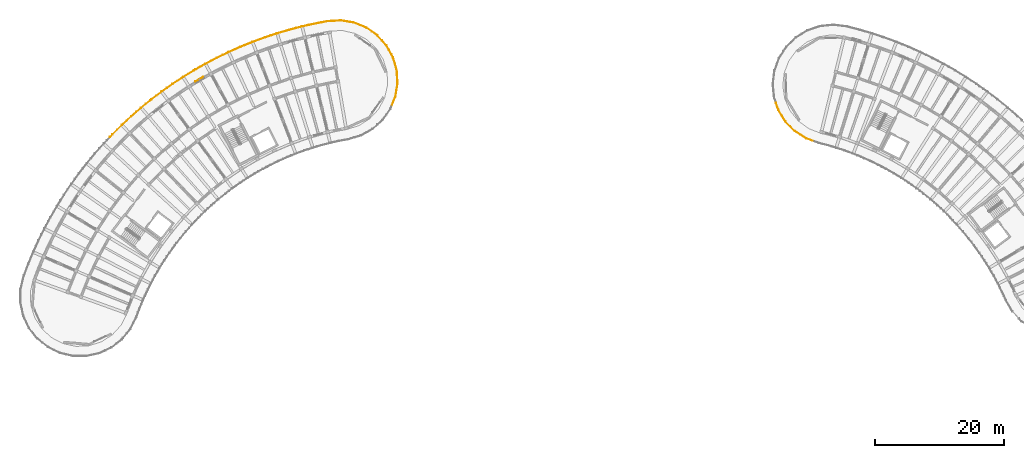
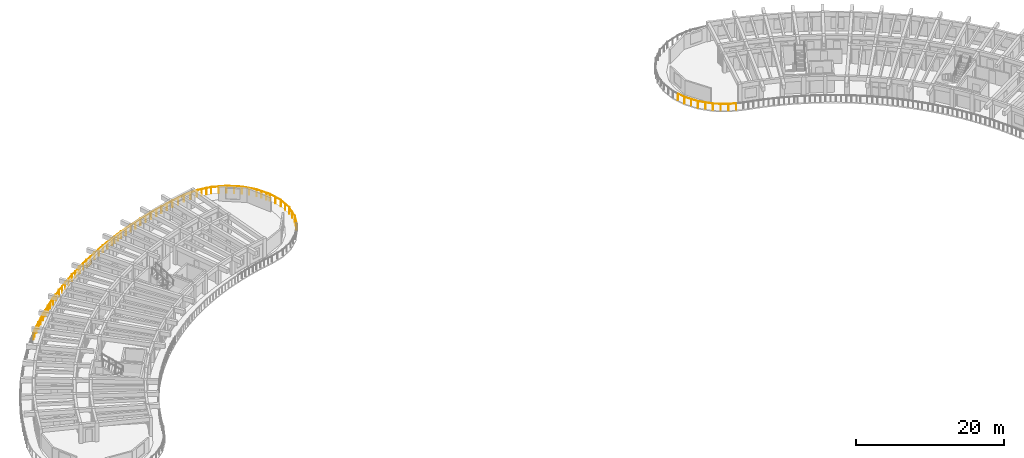
# One storey, part 36 of 41: 8 railings, 1 shading device.
"""IFC4 building model written with IfcOpenShell, lengths in metres."""

from ifc_helpers import new_model, si_unit, direction, frame, origin, origin_2d, place, context, subcontext, project, spatial, rectangle, circle, extrude, material, layer, layer_set, type_object, element, save


model = new_model("IFC4")

# Units and contexts
model_context = context("Model", 3, precision=1e-05, world=origin(), true_north=direction((0.0, 1.0)))
body_context = subcontext(model_context, "Body", "Model", "MODEL_VIEW")
ifc_project = project(units=[si_unit("LENGTHUNIT", "METRE"), si_unit("AREAUNIT", "SQUARE_METRE"), si_unit("VOLUMEUNIT", "CUBIC_METRE"), si_unit("PLANEANGLEUNIT", "RADIAN"), si_unit("MASSUNIT", "GRAM", prefix="KILO")], contexts=[model_context])

# Site, building, storey
site_placement = place(None, origin())
site = spatial("IfcSite", under=ifc_project, at=site_placement, CompositionType="ELEMENT")
building_placement = place(site_placement, origin())
building = spatial("IfcBuilding", under=site, at=building_placement, Name="Tanwirah Colonnade Gardens", CompositionType="ELEMENT")
storey_placement = place(building_placement, frame((0.0, 0.0, 35.719970703125)))
storey = spatial("IfcBuildingStorey", under=building, at=storey_placement, Name="L10", CompositionType="ELEMENT", Elevation=35.719970703125)

# Railings
ifc_material_1 = material(Name="Precast concrete C40/50", Category="concrete")
railing_type = type_object("IfcRailingType", Name="BAL-EXT112", PredefinedType="BALUSTRADE", material=ifc_material_1)
railing_1_placement = place(storey_placement, frame((20.72216796875, 102.61181640625, 0.0)))
element("IfcRailing", 1, at=railing_1_placement, inside=storey, type_object=railing_type, Name="Block A L10 Balcony Ribbon Balustrade 13", PredefinedType="BALUSTRADE", context=body_context, shape_type="SweptSolid", body=[
    extrude(circle(Radius=0.02392578125, at=origin_2d()), frame((0.021484375, 0.022705078125, 1.09619140625), z_axis=(0.687096441583, 0.726566225449, 0.0), x_axis=(-0.726566225449, 0.687096441583, 0.0)), (0.0, 0.0, 1.0), 0.543701171875),
    extrude(circle(Radius=0.02392578125, at=origin_2d()), frame((0.438720703125, 0.46240234375, 1.09619140625), z_axis=(0.710480209462, 0.703717181801, 0.0), x_axis=(-0.703717181801, 0.710480209462, 0.0)), (0.0, 0.0, 1.0), 1.958984375),
    extrude(circle(Radius=0.02392578125, at=origin_2d()), frame((1.875732421875, 1.88427734375, 1.09619140625), z_axis=(0.733352454033, 0.679848643569, 0.0), x_axis=(-0.679848643569, 0.733352454033, 0.0)), (0.0, 0.0, 1.0), 1.958984375),
    extrude(circle(Radius=0.02392578125, at=origin_2d()), frame((3.35888671875, 3.2578125, 1.09619140625), z_axis=(0.755338292497, 0.655335077565, 0.0), x_axis=(-0.655335077565, 0.755338292497, 0.0)), (0.0, 0.0, 1.0), 1.958984375),
    extrude(circle(Radius=0.02392578125, at=origin_2d()), frame((4.88623046875, 4.581787109375, 1.09619140625), z_axis=(0.776501621442, 0.630115252869, 0.0), x_axis=(-0.630115252869, 0.776501621442, 0.0)), (0.0, 0.0, 1.0), 1.76708984375),
    extrude(circle(Radius=0.02099609375, at=origin_2d()), origin(), (0.0, 0.0, 1.0), 1.069091796875),
    extrude(circle(Radius=0.02099609375, at=origin_2d()), frame((0.41650390625, 0.4404296875, 0.0)), (0.0, 0.0, 1.0), 1.069091796875),
    extrude(circle(Radius=0.02099609375, at=origin_2d()), frame((1.134765625, 1.15185546875, 0.0)), (0.0, 0.0, 1.0), 1.069091796875),
    extrude(circle(Radius=0.02099609375, at=origin_2d()), frame((1.852783203125, 1.863037109375, 0.0)), (0.0, 0.0, 1.0), 1.069091796875),
    extrude(circle(Radius=0.02099609375, at=origin_2d()), frame((2.593994140625, 2.55029296875, 0.0)), (0.0, 0.0, 1.0), 1.069091796875),
    extrude(circle(Radius=0.02099609375, at=origin_2d()), frame((3.335205078125, 3.2373046875, 0.0)), (0.0, 0.0, 1.0), 1.069091796875),
    extrude(circle(Radius=0.02099609375, at=origin_2d()), frame((4.0986328125, 3.899658203125, 0.0)), (0.0, 0.0, 1.0), 1.069091796875),
    extrude(circle(Radius=0.02099609375, at=origin_2d()), frame((4.862060546875, 4.56201171875, 0.0)), (0.0, 0.0, 1.0), 1.069091796875),
    extrude(circle(Radius=0.02099609375, at=origin_2d()), frame((5.572265625, 5.138427734375, 0.0)), (0.0, 0.0, 1.0), 1.069091796875),
    extrude(circle(Radius=0.02099609375, at=origin_2d()), frame((6.28271484375, 5.71484375, 0.0)), (0.0, 0.0, 1.0), 1.069091796875),
])
railing_2_placement = place(storey_placement, frame((27.0048828125, 108.32666015625, 0.0)))
element("IfcRailing", 2, at=railing_2_placement, inside=storey, type_object=railing_type, Name="Block A L10 Balcony Ribbon Balustrade 14", PredefinedType="BALUSTRADE", context=body_context, shape_type="SweptSolid", body=[
    extrude(circle(Radius=0.02392578125, at=origin_2d()), frame((0.024169921875, 0.019775390625, 1.09619140625), z_axis=(0.7770078964, 0.629490848966, 0.0), x_axis=(-0.629490848966, 0.7770078964, 0.0)), (0.0, 0.0, 1.0), 0.12939453125),
    extrude(circle(Radius=0.02392578125, at=origin_2d()), frame((0.174072265625, 0.1396484375, 1.09619140625), z_axis=(0.796887753746, 0.604127393792, 0.0), x_axis=(-0.604127393792, 0.796887753746, 0.0)), (0.0, 0.0, 1.0), 1.958984375),
    extrude(circle(Radius=0.02392578125, at=origin_2d()), frame((1.78564453125, 1.360107421875, 1.09619140625), z_axis=(0.816344803849, 0.577564854565, 0.0), x_axis=(-0.577564854565, 0.816344803849, 0.0)), (0.0, 0.0, 1.0), 1.958740234375),
    extrude(circle(Radius=0.02392578125, at=origin_2d()), frame((3.436279296875, 2.526611328125, 1.09619140625), z_axis=(0.834955682369, 0.550317188973, 0.0), x_axis=(-0.550317188973, 0.834955682369, 0.0)), (0.0, 0.0, 1.0), 1.959228515625),
    extrude(circle(Radius=0.02392578125, at=origin_2d()), frame((5.124755859375, 3.638427734375, 1.09619140625), z_axis=(0.852660263329, 0.522465764754, 0.0), x_axis=(-0.522465764754, 0.852660263329, 0.0)), (0.0, 0.0, 1.0), 1.958984375),
    extrude(circle(Radius=0.02392578125, at=origin_2d()), frame((6.848876953125, 4.693603515625, 1.09619140625), z_axis=(0.869188260761, 0.494481311432, 0.0), x_axis=(-0.494481311432, 0.869188260761, 0.0)), (0.0, 0.0, 1.0), 0.15966796875),
    extrude(circle(Radius=0.02099609375, at=origin_2d()), origin(), (0.0, 0.0, 1.0), 1.069091796875),
    extrude(circle(Radius=0.02099609375, at=origin_2d()), frame((0.149169921875, 0.120849609375, 0.0)), (0.0, 0.0, 1.0), 1.069091796875),
    extrude(circle(Radius=0.02099609375, at=origin_2d()), frame((0.95458984375, 0.7314453125, 0.0)), (0.0, 0.0, 1.0), 1.069091796875),
    extrude(circle(Radius=0.02099609375, at=origin_2d()), frame((1.760009765625, 1.342041015625, 0.0)), (0.0, 0.0, 1.0), 1.069091796875),
    extrude(circle(Radius=0.02099609375, at=origin_2d()), frame((2.5849609375, 1.92578125, 0.0)), (0.0, 0.0, 1.0), 1.069091796875),
    extrude(circle(Radius=0.02099609375, at=origin_2d()), frame((3.41015625, 2.509521484375, 0.0)), (0.0, 0.0, 1.0), 1.069091796875),
    extrude(circle(Radius=0.02099609375, at=origin_2d()), frame((4.254150390625, 3.06591796875, 0.0)), (0.0, 0.0, 1.0), 1.069091796875),
    extrude(circle(Radius=0.02099609375, at=origin_2d()), frame((5.09814453125, 3.6220703125, 0.0)), (0.0, 0.0, 1.0), 1.069091796875),
    extrude(circle(Radius=0.02099609375, at=origin_2d()), frame((5.9599609375, 4.150146484375, 0.0)), (0.0, 0.0, 1.0), 1.069091796875),
    extrude(circle(Radius=0.02099609375, at=origin_2d()), frame((6.82177734375, 4.67822265625, 0.0)), (0.0, 0.0, 1.0), 1.069091796875),
    extrude(circle(Radius=0.02099609375, at=origin_2d()), frame((7.014892578125, 4.7880859375, 0.0)), (0.0, 0.0, 1.0), 1.069091796875),
])
railing_3_placement = place(storey_placement, frame((34.019775390625, 113.11474609375, 0.0)))
element("IfcRailing", 3, at=railing_3_placement, inside=storey, type_object=railing_type, Name="Block A L10 Balcony Ribbon Balustrade 15", PredefinedType="BALUSTRADE", context=body_context, shape_type="SweptSolid", body=[
    extrude(circle(Radius=0.02392578125, at=origin_2d()), frame((0.027099609375, 0.015380859375, 1.09619140625), z_axis=(0.869418139626, 0.494077016759, 0.0), x_axis=(-0.494077016759, 0.869418139626, 0.0)), (0.0, 0.0, 1.0), 1.736572265625),
    extrude(circle(Radius=0.02392578125, at=origin_2d()), frame((1.591796875, 0.903564453125, 1.09619140625), z_axis=(0.885211446817, 0.465188880374, 0.0), x_axis=(-0.465188880374, 0.885211446817, 0.0)), (0.0, 0.0, 1.0), 1.958984375),
    extrude(circle(Radius=0.02392578125, at=origin_2d()), frame((3.3818359375, 1.843017578125, 1.09619140625), z_axis=(0.900055350621, 0.435775591122, 0.0), x_axis=(-0.435775591122, 0.900055350621, 0.0)), (0.0, 0.0, 1.0), 1.958740234375),
    extrude(circle(Radius=0.02392578125, at=origin_2d()), frame((5.20166015625, 2.722900390625, 1.09619140625), z_axis=(0.913950953394, 0.405824660156, 0.0), x_axis=(-0.405824660156, 0.913950953394, 0.0)), (0.0, 0.0, 1.0), 1.958740234375),
    extrude(circle(Radius=0.02392578125, at=origin_2d()), frame((7.049560546875, 3.542236328125, 1.09619140625), z_axis=(0.926800623759, 0.375553729578, 0.0), x_axis=(-0.375553729578, 0.926800623759, 0.0)), (0.0, 0.0, 1.0), 0.573974609375),
    extrude(circle(Radius=0.02099609375, at=origin_2d()), origin(), (0.0, 0.0, 1.0), 1.069091796875),
    extrude(circle(Radius=0.02099609375, at=origin_2d()), frame((0.7822265625, 0.4443359375, 0.0)), (0.0, 0.0, 1.0), 1.069091796875),
    extrude(circle(Radius=0.02099609375, at=origin_2d()), frame((1.564208984375, 0.888916015625, 0.0)), (0.0, 0.0, 1.0), 1.069091796875),
    extrude(circle(Radius=0.02099609375, at=origin_2d()), frame((2.458984375, 1.359130859375, 0.0)), (0.0, 0.0, 1.0), 1.069091796875),
    extrude(circle(Radius=0.02099609375, at=origin_2d()), frame((3.353759765625, 1.829345703125, 0.0)), (0.0, 0.0, 1.0), 1.069091796875),
    extrude(circle(Radius=0.02099609375, at=origin_2d()), frame((4.263427734375, 2.269775390625, 0.0)), (0.0, 0.0, 1.0), 1.069091796875),
    extrude(circle(Radius=0.02099609375, at=origin_2d()), frame((5.173095703125, 2.710205078125, 0.0)), (0.0, 0.0, 1.0), 1.069091796875),
    extrude(circle(Radius=0.02099609375, at=origin_2d()), frame((6.0966796875, 3.120361328125, 0.0)), (0.0, 0.0, 1.0), 1.069091796875),
    extrude(circle(Radius=0.02099609375, at=origin_2d()), frame((7.0205078125, 3.530517578125, 0.0)), (0.0, 0.0, 1.0), 1.069091796875),
    extrude(circle(Radius=0.02099609375, at=origin_2d()), frame((7.6103515625, 3.76953125, 0.0)), (0.0, 0.0, 1.0), 1.069091796875),
])
railing_4_placement = place(storey_placement, frame((41.630126953125, 116.88427734375, 0.0)))
element("IfcRailing", 4, at=railing_4_placement, inside=storey, type_object=railing_type, Name="Block A L10 Balcony Ribbon Balustrade 16", PredefinedType="BALUSTRADE", context=body_context, shape_type="SweptSolid", body=[
    extrude(circle(Radius=0.02392578125, at=origin_2d()), frame((0.029052734375, 0.01171875, 1.09619140625), z_axis=(0.926777412664, 0.375611005399, 0.0), x_axis=(-0.375611005399, 0.926777412664, 0.0)), (0.0, 0.0, 1.0), 1.322509765625),
    extrude(circle(Radius=0.02392578125, at=origin_2d()), frame((1.31298828125, 0.531005859375, 1.09619140625), z_axis=(0.938723993457, 0.344669789956, 0.0), x_axis=(-0.344669789956, 0.938723993457, 0.0)), (0.0, 0.0, 1.0), 1.958984375),
    extrude(circle(Radius=0.02392578125, at=origin_2d()), frame((3.211181640625, 1.226806640625, 1.09619140625), z_axis=(0.949537316482, 0.313654084317, 0.0), x_axis=(-0.313654084317, 0.949537316482, 0.0)), (0.0, 0.0, 1.0), 1.958984375),
    extrude(circle(Radius=0.02392578125, at=origin_2d()), frame((5.130859375, 1.85986328125, 1.09619140625), z_axis=(0.959371271211, 0.282146706477, 0.0), x_axis=(-0.282146706477, 0.959371271211, 0.0)), (0.0, 0.0, 1.0), 1.958740234375),
    extrude(circle(Radius=0.02392578125, at=origin_2d()), frame((7.0703125, 2.42919921875, 1.09619140625), z_axis=(0.968170218447, 0.250292684894, 0.0), x_axis=(-0.250292684894, 0.968170218447, 0.0)), (0.0, 0.0, 1.0), 0.988037109375),
    extrude(circle(Radius=0.02099609375, at=origin_2d()), origin(), (0.0, 0.0, 1.0), 1.069091796875),
    extrude(circle(Radius=0.02099609375, at=origin_2d()), frame((0.641845703125, 0.26025390625, 0.0)), (0.0, 0.0, 1.0), 1.069091796875),
    extrude(circle(Radius=0.02099609375, at=origin_2d()), frame((1.28369140625, 0.520263671875, 0.0)), (0.0, 0.0, 1.0), 1.069091796875),
    extrude(circle(Radius=0.02099609375, at=origin_2d()), frame((2.232421875, 0.86865234375, 0.0)), (0.0, 0.0, 1.0), 1.069091796875),
    extrude(circle(Radius=0.02099609375, at=origin_2d()), frame((3.181396484375, 1.217041015625, 0.0)), (0.0, 0.0, 1.0), 1.069091796875),
    extrude(circle(Radius=0.02099609375, at=origin_2d()), frame((4.14111328125, 1.5341796875, 0.0)), (0.0, 0.0, 1.0), 1.069091796875),
    extrude(circle(Radius=0.02099609375, at=origin_2d()), frame((5.100830078125, 1.85107421875, 0.0)), (0.0, 0.0, 1.0), 1.069091796875),
    extrude(circle(Radius=0.02099609375, at=origin_2d()), frame((6.0703125, 2.13623046875, 0.0)), (0.0, 0.0, 1.0), 1.069091796875),
    extrude(circle(Radius=0.02099609375, at=origin_2d()), frame((7.0400390625, 2.42138671875, 0.0)), (0.0, 0.0, 1.0), 1.069091796875),
    extrude(circle(Radius=0.02099609375, at=origin_2d()), frame((8.05712890625, 2.684326171875, 0.0)), (0.0, 0.0, 1.0), 1.069091796875),
])
railing_5_placement = place(storey_placement, frame((49.687255859375, 119.568603515625, 0.0)))
element("IfcRailing", 5, at=railing_5_placement, inside=storey, type_object=railing_type, Name="Block A L10 Balcony Ribbon Balustrade 17", PredefinedType="BALUSTRADE", context=body_context, shape_type="SweptSolid", body=[
    extrude(circle(Radius=0.02392578125, at=origin_2d()), frame((0.0302734375, 0.0078125, 1.09619140625), z_axis=(0.968143759396, 0.25039501022, 0.0), x_axis=(-0.25039501022, 0.968143759396, 0.0)), (0.0, 0.0, 1.0), 0.90869140625),
    extrude(circle(Radius=0.02392578125, at=origin_2d()), frame((0.970703125, 0.25, 1.09619140625), z_axis=(0.975867729966, 0.218362482151, 0.0), x_axis=(-0.218362482151, 0.975867729966, 0.0)), (0.0, 0.0, 1.0), 1.958984375),
    extrude(circle(Radius=0.02392578125, at=origin_2d()), frame((2.943603515625, 0.6904296875, 1.09619140625), z_axis=(0.982552918565, 0.185983231014, 0.0), x_axis=(-0.185983231014, 0.982552918565, 0.0)), (0.0, 0.0, 1.0), 1.955078125),
    extrude(circle(Radius=0.02392578125, at=origin_2d()), frame((4.926513671875, 1.0615234375, 1.09619140625), z_axis=(0.998287234372, 0.058502971625, 0.0), x_axis=(-0.058502971625, 0.998287234372, 0.0)), (0.0, 0.0, 1.0), 2.0283203125),
    extrude(circle(Radius=0.02392578125, at=origin_2d()), frame((7.01318359375, 1.177001953125, 1.09619140625), z_axis=(0.986252075205, -0.165247826472, 0.0), x_axis=(0.165247826472, 0.986252075205, 0.0)), (0.0, 0.0, 1.0), 1.336669921875),
    extrude(circle(Radius=0.02099609375, at=origin_2d()), origin(), (0.0, 0.0, 1.0), 1.069091796875),
    extrude(circle(Radius=0.02099609375, at=origin_2d()), frame((0.940185546875, 0.2431640625, 0.0)), (0.0, 0.0, 1.0), 1.069091796875),
    extrude(circle(Radius=0.02099609375, at=origin_2d()), frame((1.926513671875, 0.4638671875, 0.0)), (0.0, 0.0, 1.0), 1.069091796875),
    extrude(circle(Radius=0.02099609375, at=origin_2d()), frame((2.912841796875, 0.6845703125, 0.0)), (0.0, 0.0, 1.0), 1.069091796875),
    extrude(circle(Radius=0.02099609375, at=origin_2d()), frame((3.904052734375, 0.8720703125, 0.0)), (0.0, 0.0, 1.0), 1.069091796875),
    extrude(circle(Radius=0.02099609375, at=origin_2d()), frame((4.895263671875, 1.059814453125, 0.0)), (0.0, 0.0, 1.0), 1.069091796875),
    extrude(circle(Radius=0.02099609375, at=origin_2d()), frame((5.93896484375, 1.12109375, 0.0)), (0.0, 0.0, 1.0), 1.069091796875),
    extrude(circle(Radius=0.02099609375, at=origin_2d()), frame((6.982421875, 1.18212890625, 0.0)), (0.0, 0.0, 1.0), 1.069091796875),
    extrude(circle(Radius=0.02099609375, at=origin_2d()), frame((7.67236328125, 1.06640625, 0.0)), (0.0, 0.0, 1.0), 1.069091796875),
    extrude(circle(Radius=0.02099609375, at=origin_2d()), frame((8.3623046875, 0.950927734375, 0.0)), (0.0, 0.0, 1.0), 1.069091796875),
])
railing_6_placement = place(storey_placement, frame((58.049560546875, 120.51953125, 0.0)))
element("IfcRailing", 6, at=railing_6_placement, inside=storey, type_object=railing_type, Name="Block A L10 Balcony Ribbon Balustrade 18", PredefinedType="BALUSTRADE", context=body_context, shape_type="SweptSolid", body=[
    extrude(circle(Radius=0.02392578125, at=origin_2d()), frame((0.03076171875, -0.005126953125, 1.09619140625), z_axis=(0.986278536416, -0.16508981981, 0.0), x_axis=(0.16508981981, 0.986278536416, 0.0)), (0.0, 0.0, 1.0), 0.625244140625),
    extrude(circle(Radius=0.02392578125, at=origin_2d()), frame((0.70703125, -0.12548828125, 1.09619140625), z_axis=(0.924760450356, -0.380549746364, 0.0), x_axis=(0.380549746364, 0.924760450356, 0.0)), (0.0, 0.0, 1.0), 2.0244140625),
    extrude(circle(Radius=0.02392578125, at=origin_2d()), frame((2.6337890625, -0.92578125, 1.09619140625), z_axis=(0.816922470734, -0.576747498313, 0.0), x_axis=(0.576747498313, 0.816922470734, 0.0)), (0.0, 0.0, 1.0), 2.0244140625),
    extrude(circle(Radius=0.02392578125, at=origin_2d()), frame((4.333984375, -2.134521484375, 1.09619140625), z_axis=(0.66812405186, -0.744049898412, 0.0), x_axis=(0.744049898412, 0.66812405186, 0.0)), (0.0, 0.0, 1.0), 2.0244140625),
    extrude(circle(Radius=0.02392578125, at=origin_2d()), frame((5.722412109375, -3.69140625, 1.09619140625), z_axis=(0.485749809073, -0.874097890963, 0.0), x_axis=(0.874097890963, 0.485749809073, 0.0)), (0.0, 0.0, 1.0), 1.489013671875),
    extrude(circle(Radius=0.02099609375, at=origin_2d()), origin(), (0.0, 0.0, 1.0), 1.069091796875),
    extrude(circle(Radius=0.02099609375, at=origin_2d()), frame((0.67822265625, -0.113525390625, 0.0)), (0.0, 0.0, 1.0), 1.069091796875),
    extrude(circle(Radius=0.02099609375, at=origin_2d()), frame((1.64306640625, -0.5107421875, 0.0)), (0.0, 0.0, 1.0), 1.069091796875),
    extrude(circle(Radius=0.02099609375, at=origin_2d()), frame((2.608154296875, -0.90771484375, 0.0)), (0.0, 0.0, 1.0), 1.069091796875),
    extrude(circle(Radius=0.02099609375, at=origin_2d()), frame((3.46044921875, -1.509521484375, 0.0)), (0.0, 0.0, 1.0), 1.069091796875),
    extrude(circle(Radius=0.02099609375, at=origin_2d()), frame((4.31298828125, -2.111328125, 0.0)), (0.0, 0.0, 1.0), 1.069091796875),
    extrude(circle(Radius=0.02099609375, at=origin_2d()), frame((5.01025390625, -2.8876953125, 0.0)), (0.0, 0.0, 1.0), 1.069091796875),
    extrude(circle(Radius=0.02099609375, at=origin_2d()), frame((5.707275390625, -3.6640625, 0.0)), (0.0, 0.0, 1.0), 1.069091796875),
    extrude(circle(Radius=0.02099609375, at=origin_2d()), frame((6.083984375, -4.34228515625, 0.0)), (0.0, 0.0, 1.0), 1.069091796875),
    extrude(circle(Radius=0.02099609375, at=origin_2d()), frame((6.4609375, -5.020263671875, 0.0)), (0.0, 0.0, 1.0), 1.069091796875),
])
railing_7_placement = place(storey_placement, frame((64.510498046875, 115.499267578125, 0.0)))
element("IfcRailing", 7, at=railing_7_placement, inside=storey, type_object=railing_type, Name="Block A L10 Balcony Ribbon Balustrade 19", PredefinedType="BALUSTRADE", context=body_context, shape_type="SweptSolid", body=[
    extrude(circle(Radius=0.02392578125, at=origin_2d()), frame((0.01513671875, -0.02734375, 1.09619140625), z_axis=(0.485991270368, -0.873963663504, 0.0), x_axis=(0.873963663504, 0.485991270368, 0.0)), (0.0, 0.0, 1.0), 0.472900390625),
    extrude(circle(Radius=0.02392578125, at=origin_2d()), frame((0.26904296875, -0.498046875, 1.09619140625), z_axis=(0.279029466175, -0.960282540196, 0.0), x_axis=(0.960282540196, 0.279029466175, 0.0)), (0.0, 0.0, 1.0), 2.024169921875),
    extrude(circle(Radius=0.02392578125, at=origin_2d()), frame((0.84423828125, -2.503173828125, 1.09619140625), z_axis=(0.058495702586, -0.998287660336, 0.0), x_axis=(0.998287660336, 0.058495702586, 0.0)), (0.0, 0.0, 1.0), 2.0244140625),
    extrude(circle(Radius=0.02392578125, at=origin_2d()), frame((0.95947265625, -4.5859375, 1.09619140625), z_axis=(-0.165176699543, -0.986263989978, 0.0), x_axis=(0.986263989978, -0.165176699543, 0.0)), (0.0, 0.0, 1.0), 2.0244140625),
    extrude(circle(Radius=0.02392578125, at=origin_2d()), frame((0.60791015625, -6.642333984375, 1.09619140625), z_axis=(-0.380562425993, -0.924755232439, 0.0), x_axis=(0.924755232439, -0.380562425993, 0.0)), (0.0, 0.0, 1.0), 1.641357421875),
    extrude(circle(Radius=0.02099609375, at=origin_2d()), origin(), (0.0, 0.0, 1.0), 1.069091796875),
    extrude(circle(Radius=0.02099609375, at=origin_2d()), frame((0.26025390625, -0.468017578125, 0.0)), (0.0, 0.0, 1.0), 1.069091796875),
    extrude(circle(Radius=0.02099609375, at=origin_2d()), frame((0.55126953125, -1.469970703125, 0.0)), (0.0, 0.0, 1.0), 1.069091796875),
    extrude(circle(Radius=0.02099609375, at=origin_2d()), frame((0.842529296875, -2.471923828125, 0.0)), (0.0, 0.0, 1.0), 1.069091796875),
    extrude(circle(Radius=0.02099609375, at=origin_2d()), frame((0.903564453125, -3.513671875, 0.0)), (0.0, 0.0, 1.0), 1.069091796875),
    extrude(circle(Radius=0.02099609375, at=origin_2d()), frame((0.964599609375, -4.55517578125, 0.0)), (0.0, 0.0, 1.0), 1.069091796875),
    extrude(circle(Radius=0.02099609375, at=origin_2d()), frame((0.792236328125, -5.58447265625, 0.0)), (0.0, 0.0, 1.0), 1.069091796875),
    extrude(circle(Radius=0.02099609375, at=origin_2d()), frame((0.619873046875, -6.613525390625, 0.0)), (0.0, 0.0, 1.0), 1.069091796875),
    extrude(circle(Radius=0.02099609375, at=origin_2d()), frame((0.295654296875, -7.4013671875, 0.0)), (0.0, 0.0, 1.0), 1.069091796875),
    extrude(circle(Radius=0.02099609375, at=origin_2d()), frame((-0.028564453125, -8.189208984375, 0.0)), (0.0, 0.0, 1.0), 1.069091796875),
])
railing_8_placement = place(storey_placement, frame((130.047607421875, 102.039306640625, 0.0)))
element("IfcRailing", 8, at=railing_8_placement, inside=storey, type_object=railing_type, Name="Block B L10 Balcony Ribbon Balustrade 6", PredefinedType="BALUSTRADE", context=body_context, shape_type="SweptSolid", body=[
    extrude(circle(Radius=0.02392578125, at=origin_2d()), frame((-0.029296875, 0.0107421875, 1.09619140625), z_axis=(-0.939800088216, 0.34172473453, 0.0), x_axis=(-0.34172473453, -0.939800088216, 0.0)), (0.0, 0.0, 1.0), 1.007080078125),
    extrude(circle(Radius=0.02392578125, at=origin_2d()), frame((-1.031494140625, 0.38232421875, 1.09619140625), z_axis=(-0.840131563102, 0.542382666278, 0.0), x_axis=(-0.542382666278, -0.840131563102, 0.0)), (0.0, 0.0, 1.0), 2.024169921875),
    extrude(circle(Radius=0.02392578125, at=origin_2d()), frame((-2.780029296875, 1.519775390625, 1.09619140625), z_axis=(-0.698515331057, 0.715595089613, 0.0), x_axis=(-0.715595089613, -0.698515331057, 0.0)), (0.0, 0.0, 1.0), 2.0244140625),
    extrude(circle(Radius=0.02392578125, at=origin_2d()), frame((-4.232421875, 3.017333984375, 1.09619140625), z_axis=(-0.521634543826, 0.853169035237, 0.0), x_axis=(-0.853169035237, -0.521634543826, 0.0)), (0.0, 0.0, 1.0), 2.0244140625),
    extrude(circle(Radius=0.02392578125, at=origin_2d()), frame((-5.314697265625, 4.80078125, 1.09619140625), z_axis=(-0.318668382086, 0.94786626813, 0.0), x_axis=(-0.94786626813, -0.318668382086, 0.0)), (0.0, 0.0, 1.0), 1.107421875),
    extrude(circle(Radius=0.02099609375, at=origin_2d()), origin(), (0.0, 0.0, 1.0), 1.069091796875),
    extrude(circle(Radius=0.02099609375, at=origin_2d()), frame((-1.005126953125, 0.365478515625, 0.0)), (0.0, 0.0, 1.0), 1.069091796875),
    extrude(circle(Radius=0.02099609375, at=origin_2d()), frame((-1.8818359375, 0.931396484375, 0.0)), (0.0, 0.0, 1.0), 1.069091796875),
    extrude(circle(Radius=0.02099609375, at=origin_2d()), frame((-2.75830078125, 1.497314453125, 0.0)), (0.0, 0.0, 1.0), 1.069091796875),
    extrude(circle(Radius=0.02099609375, at=origin_2d()), frame((-3.4873046875, 2.244140625, 0.0)), (0.0, 0.0, 1.0), 1.069091796875),
    extrude(circle(Radius=0.02099609375, at=origin_2d()), frame((-4.216064453125, 2.99072265625, 0.0)), (0.0, 0.0, 1.0), 1.069091796875),
    extrude(circle(Radius=0.02099609375, at=origin_2d()), frame((-4.76025390625, 3.880859375, 0.0)), (0.0, 0.0, 1.0), 1.069091796875),
    extrude(circle(Radius=0.02099609375, at=origin_2d()), frame((-5.3046875, 4.771240234375, 0.0)), (0.0, 0.0, 1.0), 1.069091796875),
    extrude(circle(Radius=0.02099609375, at=origin_2d()), frame((-5.677490234375, 5.880126953125, 0.0)), (0.0, 0.0, 1.0), 1.069091796875),
])

# Shading device
ifc_material_2 = material(Name="Perforated architectural bronze aluminium", Category="aluminium")
ifc_layer = layer(ifc_material_2, 0.050048828125)
ifc_layer_set = layer_set([ifc_layer], Name="Perforated architectural bronze aluminium")
shading_device_type = type_object("IfcShadingDeviceType", Name="SHD-OVH1", PredefinedType="SHUTTER", material=ifc_layer_set)
shading_device_placement = place(storey_placement, frame((34.613525390625, 111.617431640625, 1.84521484375), z_axis=(0.0, 0.0, 1.0), x_axis=(-0.861135955429, -0.508374730162, 0.0)))
element("IfcShadingDevice", 9, at=shading_device_placement, inside=storey, type_object=shading_device_type, Name="Solar shading louver hood A-L10-06", PredefinedType="SHUTTER", context=body_context, shape_type="SweptSolid", body=[
    extrude(rectangle(XDim=1.47998046875, YDim=0.06005859375, at=origin_2d()), origin(), (0.0, 0.0, 1.0), 0.449951171875),
])

save(model, "model.ifc")
